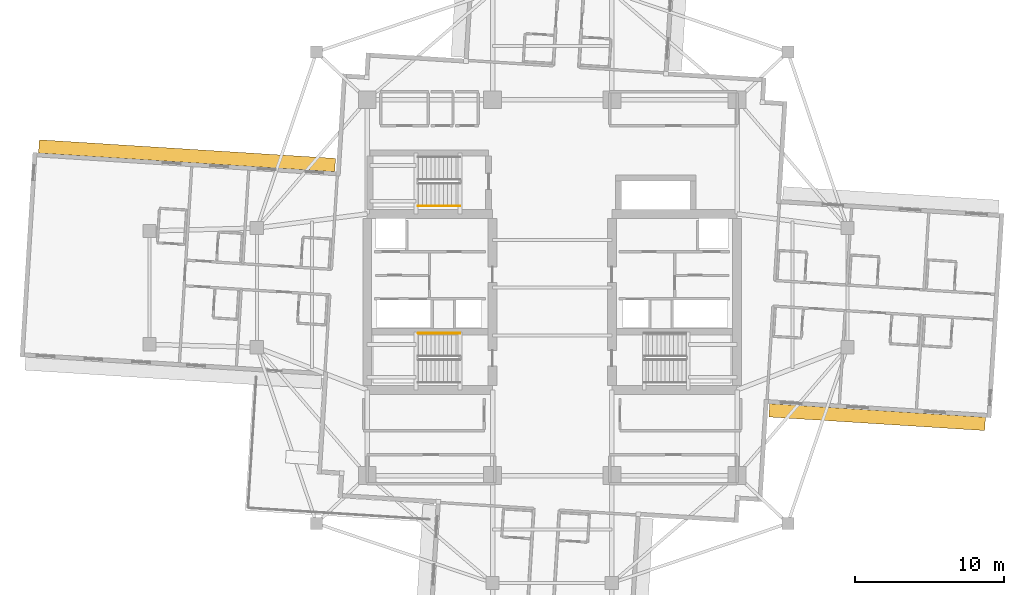
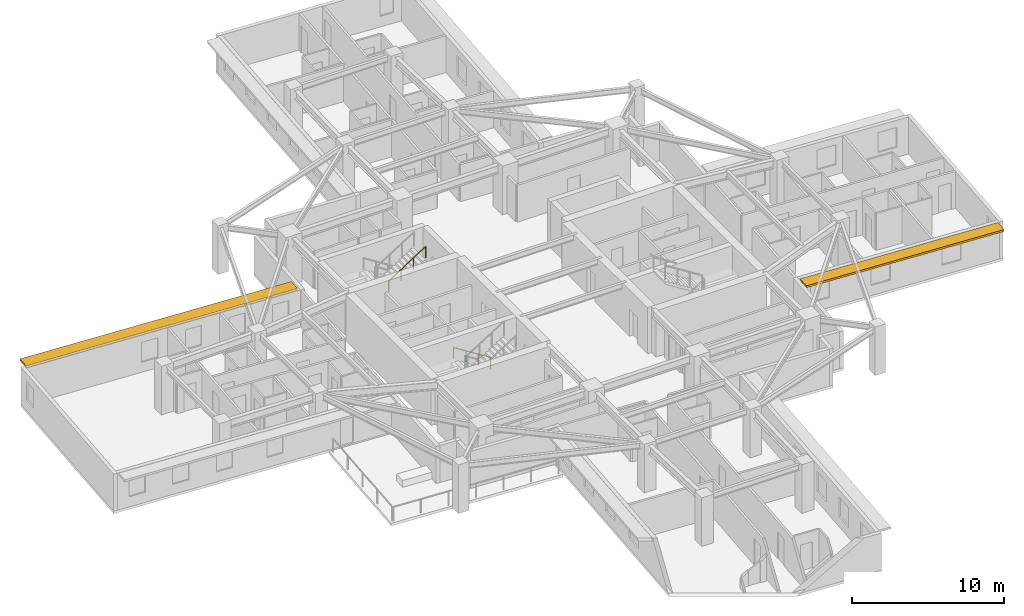
# One storey, part 12 of 14: 2 railings, 2 shading devices.
"""IFC4 building model written with IfcOpenShell, lengths in metres."""

from ifc_helpers import new_model, si_unit, direction, frame, origin, origin_2d, place, context, subcontext, project, spatial, rectangle, circle, extrude, material, layer, layer_set, type_object, element, save


model = new_model("IFC4")

# Units and contexts
model_context = context("Model", 3, precision=1e-05, world=origin(), true_north=direction((0.0, 1.0)))
body_context = subcontext(model_context, "Body", "Model", "MODEL_VIEW")
ifc_project = project(units=[si_unit("LENGTHUNIT", "METRE"), si_unit("AREAUNIT", "SQUARE_METRE"), si_unit("VOLUMEUNIT", "CUBIC_METRE"), si_unit("PLANEANGLEUNIT", "RADIAN"), si_unit("MASSUNIT", "GRAM", prefix="KILO")], contexts=[model_context])

# Site, building, storey
site_placement = place(None, origin())
site = spatial("IfcSite", under=ifc_project, at=site_placement, CompositionType="ELEMENT")
building_placement = place(site_placement, origin())
building = spatial("IfcBuilding", under=site, at=building_placement, Name="Qingluan Cross Belvedere", CompositionType="ELEMENT")
storey_placement = place(building_placement, frame((0.0, 0.0, 160.5)))
storey = spatial("IfcBuildingStorey", under=building, at=storey_placement, Name="L40", CompositionType="ELEMENT", Elevation=160.5)

# Shading devices
ifc_material_1 = material(Name="Precast concrete C45", Category="concrete")
ifc_layer = layer(ifc_material_1, 0.159912109375, Name="ConcreteSunshadeBand_900")
ifc_layer_set = layer_set([ifc_layer], Name="Precast concrete C45")
shading_device_type = type_object("IfcShadingDeviceType", Name="ConcreteSunshadeBand_900", PredefinedType="USERDEFINED", material=ifc_layer_set)
shading_device_1_placement = place(storey_placement, frame((21.788330078125, -8.67529296875, 2.7900390625), z_axis=(0.0, 0.0, 1.0), x_axis=(0.99802639199, -0.062795866837, 0.0)))
element("IfcShadingDevice", 1, at=shading_device_1_placement, inside=storey, type_object=shading_device_type, Name="Concrete SUNSHADE L40-EA", ObjectType="SUNSHADE", PredefinedType="USERDEFINED", context=body_context, shape_type="SweptSolid", body=[
    extrude(rectangle(XDim=14.5, YDim=0.89990234375, at=origin_2d()), origin(), (0.0, 0.0, 1.0), 0.159912109375),
])
shading_device_2_placement = place(storey_placement, frame((-24.48291015625, 8.8447265625, 2.7900390625), z_axis=(0.0, 0.0, 1.0), x_axis=(-0.998026688207, 0.062791158819, 0.0)))
element("IfcShadingDevice", 2, at=shading_device_2_placement, inside=storey, type_object=shading_device_type, Name="Concrete SUNSHADE L40-WA", ObjectType="SUNSHADE", PredefinedType="USERDEFINED", context=body_context, shape_type="SweptSolid", body=[
    extrude(rectangle(XDim=19.89990234375, YDim=0.89990234375, at=origin_2d()), origin(), (0.0, 0.0, 1.0), 0.159912109375),
])

# Railings
ifc_material_2 = material(Name="Brushed stainless steel tubular handrail", Category="steel")
railing_type = type_object("IfcRailingType", Name="StairPitchHandrail_900", PredefinedType="HANDRAIL", material=ifc_material_2)
railing_1_placement = place(storey_placement, frame((-6.179931640625, -3.050048828125, 0.17724609375)))
element("IfcRailing", 3, at=railing_1_placement, inside=storey, type_object=railing_type, Name="L40 ST1 stair handrail 1", PredefinedType="HANDRAIL", context=body_context, shape_type="SweptSolid", body=[
    extrude(circle(Radius=0.02392578125, at=origin_2d()), frame((0.0, 0.0, 0.8759765625), z_axis=(-0.844908973607, 0.0, 0.534910110503), x_axis=(0.0, -1.0, 0.0)), (0.0, 0.0, 1.0), 3.31396484375),
    extrude(circle(Radius=0.02099609375, at=origin_2d()), origin(), (0.0, 0.0, 1.0), 0.851806640625),
    extrude(circle(Radius=0.02099609375, at=origin_2d()), frame((-0.933349609375, 0.0, 0.5908203125)), (0.0, 0.0, 1.0), 0.851806640625),
    extrude(circle(Radius=0.02099609375, at=origin_2d()), frame((-1.86669921875, 0.0, 1.181884765625)), (0.0, 0.0, 1.0), 0.851806640625),
    extrude(circle(Radius=0.02099609375, at=origin_2d()), frame((-2.800048828125, 0.0, 1.772705078125)), (0.0, 0.0, 1.0), 0.851806640625),
])
railing_2_placement = place(storey_placement, frame((-8.97998046875, 5.469970703125, 2.127197265625)))
element("IfcRailing", 4, at=railing_2_placement, inside=storey, type_object=railing_type, Name="L40 ST3 stair handrail 2", PredefinedType="HANDRAIL", context=body_context, shape_type="SweptSolid", body=[
    extrude(circle(Radius=0.02392578125, at=origin_2d()), frame((0.0, 0.0, 0.8759765625), z_axis=(0.844908973607, 0.0, 0.534910110503), x_axis=(0.0, 1.0, 0.0)), (0.0, 0.0, 1.0), 3.31396484375),
    extrude(circle(Radius=0.02099609375, at=origin_2d()), origin(), (0.0, 0.0, 1.0), 0.851806640625),
    extrude(circle(Radius=0.02099609375, at=origin_2d()), frame((0.933349609375, 0.0, 0.5908203125)), (0.0, 0.0, 1.0), 0.851806640625),
    extrude(circle(Radius=0.02099609375, at=origin_2d()), frame((1.86669921875, 0.0, 1.181884765625)), (0.0, 0.0, 1.0), 0.851806640625),
    extrude(circle(Radius=0.02099609375, at=origin_2d()), frame((2.800048828125, 0.0, 1.772705078125)), (0.0, 0.0, 1.0), 0.851806640625),
])

save(model, "model.ifc")
